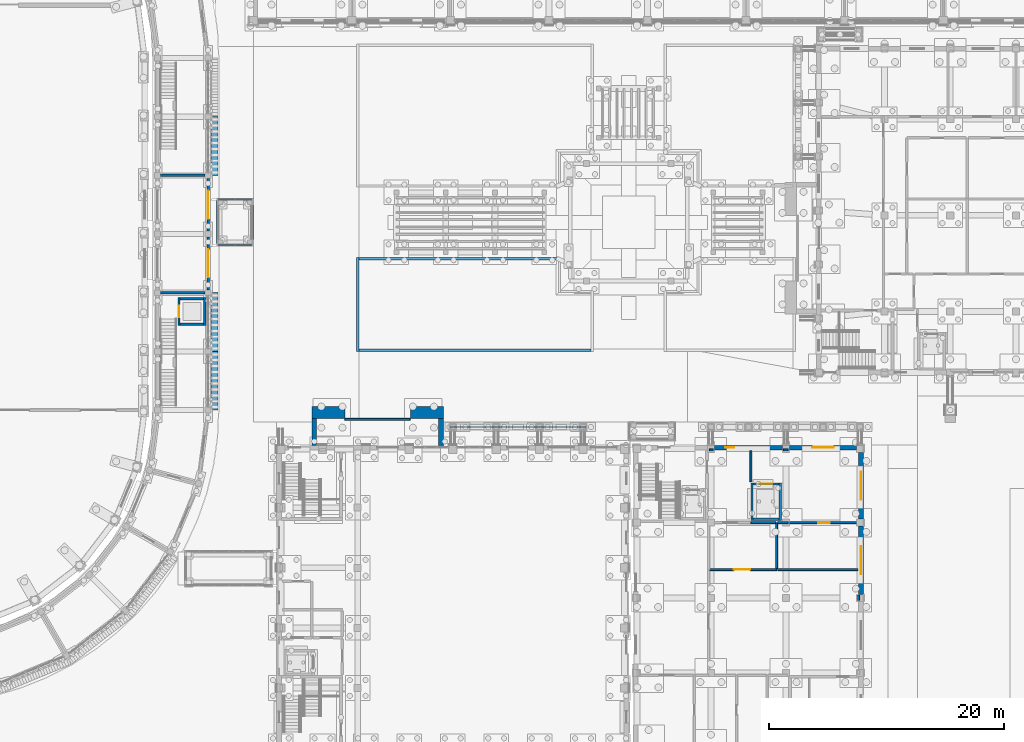
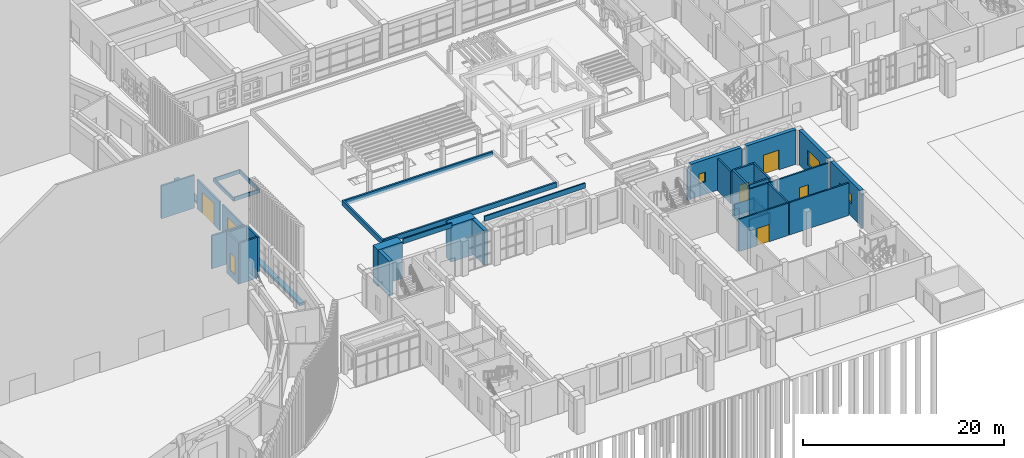
# One storey, part 66 of 112: 46 walls, 7 doors, 3 windows, 10 openings.
"""IFC4 building model written with IfcOpenShell, lengths in metres."""

from ifc_helpers import new_model, si_unit, direction, frame, frame_2d, origin, place, context, subcontext, project, spatial, rectangle, extrude, material, layer, layer_set, type_object, element, fill, save


model = new_model("IFC4")

# Units and contexts
model_context = context("Model", 3, precision=1e-05, world=origin(), true_north=direction((0.0, 1.0)))
body_context = subcontext(model_context, "Body", "Model", "MODEL_VIEW")
ifc_project = project(units=[si_unit("LENGTHUNIT", "METRE"), si_unit("AREAUNIT", "SQUARE_METRE"), si_unit("VOLUMEUNIT", "CUBIC_METRE"), si_unit("PLANEANGLEUNIT", "RADIAN"), si_unit("MASSUNIT", "GRAM", prefix="KILO")], contexts=[model_context])

# Site, building, storey
site_placement = place(None, origin())
site = spatial("IfcSite", under=ifc_project, at=site_placement, CompositionType="ELEMENT")
building_placement = place(site_placement, origin())
building = spatial("IfcBuilding", under=site, at=building_placement, Name="Wasatch Bagh Community Centre", CompositionType="ELEMENT")
storey_placement = place(building_placement, origin())
storey = spatial("IfcBuildingStorey", under=building, at=storey_placement, Name="L00", CompositionType="ELEMENT", Elevation=0.0)

# Walls
ifc_material_1 = material(Name="Concrete C35", Category="concrete")
ifc_layer_1 = layer(ifc_material_1, 0.14990234375)
ifc_layer_set_1 = layer_set([ifc_layer_1], Name="Concrete C35")
wall_type_1 = type_object("IfcWallType", Name="CL-W2", PredefinedType="PARAPET", material=ifc_layer_set_1)
wall_1_placement = place(storey_placement, frame((80.77490234375, 33.550048828125, 4.050048828125), z_axis=(0.0, 0.0, 1.0), x_axis=(1.0, 0.0, 0.0)))
element("IfcWall", 1, at=wall_1_placement, inside=storey, type_object=wall_type_1, Name="CL-W2 arcade parapet DH 1", PredefinedType="PARAPET", context=body_context, shape_type="SweptSolid", body=[
    extrude(rectangle(XDim=11.550048828125, YDim=0.14990234375, at=frame_2d((5.77490234375, 0.0))), origin(), (0.0, 0.0, 1.0), 0.599853515625),
])
wall_2_placement = place(storey_placement, frame((71.800048828125, 34.22509765625, 4.050048828125), z_axis=(0.0, 0.0, 1.0), x_axis=(1.0, 0.0, 0.0)))
element("IfcWall", 2, at=wall_2_placement, inside=storey, type_object=wall_type_1, Name="CL-W2 porch parapet", PredefinedType="PARAPET", context=body_context, shape_type="SweptSolid", body=[
    extrude(rectangle(XDim=5.599853515625, YDim=0.14990234375, at=frame_2d((2.7998046875, 0.0))), origin(), (0.0, 0.0, 1.0), 0.599853515625),
])
ifc_material_2 = material(Name="Concrete C40", Category="concrete")
ifc_layer_2 = layer(ifc_material_2, 0.39990234375)
ifc_layer_set_2 = layer_set([ifc_layer_2], Name="Concrete C40")
wall_type_2 = type_object("IfcWallType", Name="DHPQ-W5", PredefinedType="STANDARD", material=ifc_layer_set_2)
wall_3_placement = place(storey_placement, frame((69.199951171875, 34.300048828125, 0.0), z_axis=(0.0, 0.0, 1.0), x_axis=(0.0, -1.0, 0.0)))
element("IfcWall", 3, at=wall_3_placement, inside=storey, type_object=wall_type_2, Name="DHPQ-W5 pishtaq return wall W", PredefinedType="STANDARD", context=body_context, shape_type="SweptSolid", body=[
    extrude(rectangle(XDim=2.300048828125, YDim=0.39990234375, at=frame_2d((1.14990234375, 0.0))), origin(), (0.0, 0.0, 1.0), 4.199951171875),
])
wall_4_placement = place(storey_placement, frame((80.0, 34.300048828125, 0.0), z_axis=(0.0, 0.0, 1.0), x_axis=(0.0, -1.0, 0.0)))
element("IfcWall", 4, at=wall_4_placement, inside=storey, type_object=wall_type_2, Name="DHPQ-W5 pishtaq return wall E", PredefinedType="STANDARD", context=body_context, shape_type="SweptSolid", body=[
    extrude(rectangle(XDim=2.43994140625, YDim=0.39990234375, at=frame_2d((1.219970703125, 0.0))), origin(), (0.0, 0.0, 1.0), 4.199951171875),
])
ifc_layer_3 = layer(ifc_material_2, 1.0)
ifc_layer_set_3 = layer_set([ifc_layer_3], Name="Concrete C40")
wall_type_3 = type_object("IfcWallType", Name="DHPQ-W6", PredefinedType="STANDARD", material=ifc_layer_set_3)
for number, where, z_axis, x_axis, name in (
    (5, (69.0, 34.800048828125, -0.199951171875), (0.0, 0.0, 1.0), (1.0, 0.0, 0.0), "DHPQ-W6 iwan pier panel"),
    (6, (80.199951171875, 34.800048828125, -0.199951171875), (0.0, 0.0, 1.0), (-1.0, 0.0, 0.0), "DHPQ-W6 iwan pier panel"),
):
    element("IfcWall", number, at=place(storey_placement, frame(where, z_axis=z_axis, x_axis=x_axis)), inside=storey, type_object=wall_type_3, Name=name, PredefinedType="STANDARD", context=body_context, shape_type="SweptSolid", body=[
        extrude(rectangle(XDim=2.800048828125, YDim=1.0, at=frame_2d((1.39990234375, 0.0))), origin(), (0.0, 0.0, 1.0), 4.39990234375),
    ])
ifc_layer_4 = layer(ifc_material_2, 0.199951171875)
ifc_layer_set_4 = layer_set([ifc_layer_4], Name="Concrete C40")
wall_type_4 = type_object("IfcWallType", Name="Drum core wall RC WALL 200", PredefinedType="STANDARD", material=ifc_layer_set_4)
for number, where, z_axis, x_axis, name in (
    (7, (56.10009765625, 45.0, 0.0), (0.0, 0.0, 1.0), (1.0, 0.0, 0.0), "Partition 14"),
    (8, (56.10009765625, 55.0, 0.0), (0.0, 0.0, 1.0), (1.0, 0.0, 0.0), "Partition 16"),
):
    element("IfcWall", number, at=place(storey_placement, frame(where, z_axis=z_axis, x_axis=x_axis)), inside=storey, type_object=wall_type_4, Name=name, PredefinedType="STANDARD", context=body_context, shape_type="SweptSolid", body=[
        extrude(rectangle(XDim=3.7998046875, YDim=0.199951171875, at=frame_2d((1.89990234375, 0.0))), origin(), (0.0, 0.0, 1.0), 4.0),
    ])

# Wall, opening, door
ifc_layer_5 = layer(ifc_material_2, 0.199951171875)
ifc_layer_set_5 = layer_set([ifc_layer_5], Name="Concrete C40")
wall_type_5 = type_object("IfcWallType", Name="Drum entrance bay wall RC WALL 200", PredefinedType="STANDARD", material=ifc_layer_set_5)
wall_5_placement = place(storey_placement, frame((60.14990234375, 45.25048828125, 0.0), z_axis=(0.0, 0.0, 1.0), x_axis=(0.0, 1.0, 0.0)))
wall_5 = element("IfcWall", 9, at=wall_5_placement, inside=storey, type_object=wall_type_5, Name="Entrance bay wall 15", PredefinedType="STANDARD", context=body_context, shape_type="SweptSolid", body=[
    extrude(rectangle(XDim=4.4990234375, YDim=0.199951171875, at=frame_2d((2.24951171875, 0.0))), origin(), (0.0, 0.0, 1.0), 3.5),
])
opening_1_placement = place(wall_5_placement, frame((1.049560546875, 0.0, 0.0)))
opening_1 = element("IfcOpeningElement", 10, at=opening_1_placement, cuts=wall_5, Name="Opening 0F-06", PredefinedType="OPENING", context=body_context, shape_type="SweptSolid", body=[
    extrude(rectangle(XDim=2.39990234375, YDim=2.60009765625, at=frame_2d((1.199951171875, 1.300048828125))), frame((0.0, 0.10986328125, 0.0), z_axis=(0.0, -1.0, 0.0), x_axis=(1.0, 0.0, 0.0)), (0.0, 0.0, 1.0), 0.219970703125),
])
ifc_material_3 = material(Name="Aluminium framed door with low-iron insulated glass", Category="aluminium")
door_type_1 = type_object("IfcDoorType", Name="Drum entrance door pair 2400 x 2600", OperationType="DOUBLE_DOOR_DOUBLE_SWING", PredefinedType="DOOR", material=ifc_material_3)
door_1_placement = place(opening_1_placement, origin())
door_1 = element("IfcDoor", 11, at=door_1_placement, inside=storey, type_object=door_type_1, Name="Door 0F-06", OperationType="DOUBLE_DOOR_DOUBLE_SWING", OverallHeight=2.60009765625, OverallWidth=2.39990234375, PredefinedType="DOOR", context=body_context, shape_type="SweptSolid", body=[
    extrude(rectangle(XDim=2.39990234375, YDim=2.60009765625, at=frame_2d((1.199951171875, 1.300048828125))), frame((0.0, 0.02490234375, 0.0), z_axis=(0.0, -1.0, 0.0), x_axis=(1.0, 0.0, 0.0)), (0.0, 0.0, 1.0), 0.050048828125),
])
fill(opening_1, door_1)

wall_6_placement = place(storey_placement, frame((60.14990234375, 50.25048828125, 0.0), z_axis=(0.0, 0.0, 1.0), x_axis=(0.0, 1.0, 0.0)))
wall_6 = element("IfcWall", 12, at=wall_6_placement, inside=storey, type_object=wall_type_5, Name="Entrance bay wall 16", PredefinedType="STANDARD", context=body_context, shape_type="SweptSolid", body=[
    extrude(rectangle(XDim=4.4990234375, YDim=0.199951171875, at=frame_2d((2.24951171875, 0.0))), origin(), (0.0, 0.0, 1.0), 3.5),
])
opening_2_placement = place(wall_6_placement, frame((1.049560546875, 0.0, 0.0)))
opening_2 = element("IfcOpeningElement", 13, at=opening_2_placement, cuts=wall_6, Name="Opening 0F-07", PredefinedType="OPENING", context=body_context, shape_type="SweptSolid", body=[
    extrude(rectangle(XDim=2.39990234375, YDim=2.60009765625, at=frame_2d((1.199951171875, 1.300048828125))), frame((0.0, 0.10986328125, 0.0), z_axis=(0.0, -1.0, 0.0), x_axis=(1.0, 0.0, 0.0)), (0.0, 0.0, 1.0), 0.219970703125),
])
door_2_placement = place(opening_2_placement, origin())
door_2 = element("IfcDoor", 14, at=door_2_placement, inside=storey, type_object=door_type_1, Name="Door 0F-07", OperationType="DOUBLE_DOOR_DOUBLE_SWING", OverallHeight=2.60009765625, OverallWidth=2.39990234375, PredefinedType="DOOR", context=body_context, shape_type="SweptSolid", body=[
    extrude(rectangle(XDim=2.39990234375, YDim=2.60009765625, at=frame_2d((1.199951171875, 1.300048828125))), frame((0.0, 0.02490234375, 0.0), z_axis=(0.0, -1.0, 0.0), x_axis=(1.0, 0.0, 0.0)), (0.0, 0.0, 1.0), 0.050048828125),
])
fill(opening_2, door_2)

ifc_layer_6 = layer(ifc_material_2, 0.199951171875)
ifc_layer_set_6 = layer_set([ifc_layer_6], Name="Concrete C40")
wall_type_6 = type_object("IfcWallType", Name="Drum lift shaft wall RC WALL 200", PredefinedType="SHEAR", material=ifc_layer_set_6)
wall_7_placement = place(storey_placement, frame((57.675048828125, 42.199951171875, -0.75), z_axis=(0.0, 0.0, 1.0), x_axis=(0.0, 1.0, 0.0)))
wall_7 = element("IfcWall", 15, at=wall_7_placement, inside=storey, type_object=wall_type_6, Name="Lift shaft wall SE in", PredefinedType="SHEAR", context=body_context, shape_type="SweptSolid", body=[
    extrude(rectangle(XDim=2.400146484375, YDim=0.199951171875, at=frame_2d((1.2001953125, 0.0))), origin(), (0.0, 0.0, 1.0), 4.949951171875),
])
opening_3_placement = place(wall_7_placement, frame((0.699951171875, 0.0, 0.75)))
opening_3 = element("IfcOpeningElement", 16, at=opening_3_placement, cuts=wall_7, Name="Opening LD", PredefinedType="OPENING", context=body_context, shape_type="SweptSolid", body=[
    extrude(rectangle(XDim=1.0, YDim=2.10009765625, at=frame_2d((0.5, 1.050048828125))), frame((0.0, 0.10986328125, 0.0), z_axis=(0.0, -1.0, 0.0), x_axis=(1.0, 0.0, 0.0)), (0.0, 0.0, 1.0), 0.219970703125),
])
ifc_material_4 = material(Name="Stainless steel landing door", Category="steel")
door_type_2 = type_object("IfcDoorType", Name="Lift landing door 1000 x 2100", OperationType="SLIDING_TO_LEFT", PredefinedType="DOOR", material=ifc_material_4)
door_3_placement = place(opening_3_placement, origin())
door_3 = element("IfcDoor", 17, at=door_3_placement, inside=storey, type_object=door_type_2, Name="Lift landing door SE L00", OperationType="SLIDING_TO_LEFT", OverallHeight=2.10009765625, OverallWidth=1.0, PredefinedType="DOOR", context=body_context, shape_type="SweptSolid", body=[
    extrude(rectangle(XDim=1.0, YDim=2.10009765625, at=frame_2d((0.5, 1.050048828125))), frame((0.0, 0.02490234375, 0.0), z_axis=(0.0, -1.0, 0.0), x_axis=(1.0, 0.0, 0.0)), (0.0, 0.0, 1.0), 0.050048828125),
])
fill(opening_3, door_3)

# Walls
wall_8_placement = place(storey_placement, frame((59.875, 42.199951171875, -0.75), z_axis=(0.0, 0.0, 1.0), x_axis=(0.0, 1.0, 0.0)))
element("IfcWall", 18, at=wall_8_placement, inside=storey, type_object=wall_type_6, Name="Lift shaft wall SE out", PredefinedType="SHEAR", context=body_context, shape_type="SweptSolid", body=[
    extrude(rectangle(XDim=2.400146484375, YDim=0.199951171875, at=frame_2d((1.2001953125, 0.0))), origin(), (0.0, 0.0, 1.0), 4.949951171875),
])
for number, where, z_axis, x_axis, name in (
    (19, (57.77490234375, 42.300048828125, -0.75), (0.0, 0.0, 1.0), (1.0, 0.0, 0.0), "Lift shaft wall SE a0"),
    (20, (57.77490234375, 44.5, -0.75), (0.0, 0.0, 1.0), (1.0, 0.0, 0.0), "Lift shaft wall SE a1"),
):
    element("IfcWall", number, at=place(storey_placement, frame(where, z_axis=z_axis, x_axis=x_axis)), inside=storey, type_object=wall_type_6, Name=name, PredefinedType="SHEAR", context=body_context, shape_type="SweptSolid", body=[
        extrude(rectangle(XDim=2.0, YDim=0.199951171875, at=frame_2d((1.0, 0.0))), origin(), (0.0, 0.0, 1.0), 4.949951171875),
    ])
ifc_material_5 = material(Name="Concrete C35 faced in red sandstone", Category="masonry")
ifc_layer_7 = layer(ifc_material_5, 0.669921875)
ifc_layer_set_7 = layer_set([ifc_layer_7], Name="Concrete C35 faced in red sandstone")
wall_type_7 = type_object("IfcWallType", Name="Drum sandstone plinth", PredefinedType="STANDARD", material=ifc_layer_set_7)
for number, where, z_axis, x_axis, name in (
    (21, (60.719970703125, 35.0, 0.0), (0.0, 0.0, 1.0), (0.0, 1.0, 0.0), "Sandstone plinth 13"),
    (22, (60.719970703125, 40.0, 0.0), (0.0, 0.0, 1.0), (0.0, 1.0, 0.0), "Sandstone plinth 14"),
    (23, (60.719970703125, 55.0, 0.0), (0.0, 0.0, 1.0), (0.0, 1.0, 0.0), "Sandstone plinth 17"),
):
    element("IfcWall", number, at=place(storey_placement, frame(where, z_axis=z_axis, x_axis=x_axis)), inside=storey, type_object=wall_type_7, Name=name, PredefinedType="STANDARD", context=body_context, shape_type="SweptSolid", body=[
        extrude(rectangle(XDim=5.0, YDim=0.56005859375, at=frame_2d((2.5, 0.0))), origin(), (0.0, 0.0, 1.0), 0.300048828125),
    ])
ifc_layer_8 = layer(ifc_material_2, 0.199951171875)
ifc_layer_set_8 = layer_set([ifc_layer_8], Name="Concrete C40")
wall_type_8 = type_object("IfcWallType", Name="KW RC WALL 200 shear", PredefinedType="SHEAR", material=ifc_layer_set_8)
for number, where, z_axis, x_axis, name in (
    (24, (106.5, 25.60009765625, 0.0), (0.0, 0.0, 1.0), (0.0, 1.0, 0.0), "KW.core.LF3.L00.W"),
    (25, (108.89990234375, 25.60009765625, 0.0), (0.0, 0.0, 1.0), (0.0, 1.0, 0.0), "KW.core.LF3.L00.E"),
):
    element("IfcWall", number, at=place(storey_placement, frame(where, z_axis=z_axis, x_axis=x_axis)), inside=storey, type_object=wall_type_8, Name=name, PredefinedType="SHEAR", context=body_context, shape_type="SweptSolid", body=[
        extrude(rectangle(XDim=3.199951171875, YDim=0.199951171875, at=frame_2d((1.60009765625, 0.0))), origin(), (0.0, 0.0, 1.0), 4.199951171875),
    ])
wall_9_placement = place(storey_placement, frame((106.60009765625, 25.699951171875, 0.0), z_axis=(0.0, 0.0, 1.0), x_axis=(1.0, 0.0, 0.0)))
element("IfcWall", 26, at=wall_9_placement, inside=storey, type_object=wall_type_8, Name="KW.core.LF3.L00.S", PredefinedType="SHEAR", context=body_context, shape_type="SweptSolid", body=[
    extrude(rectangle(XDim=2.199951171875, YDim=0.199951171875, at=frame_2d((1.10009765625, 0.0))), origin(), (0.0, 0.0, 1.0), 4.199951171875),
])

# Wall, opening, door
wall_10_placement = place(storey_placement, frame((106.60009765625, 28.699951171875, 0.0), z_axis=(0.0, 0.0, 1.0), x_axis=(1.0, 0.0, 0.0)))
wall_10 = element("IfcWall", 27, at=wall_10_placement, inside=storey, type_object=wall_type_8, Name="KW.core.LF3.L00.N", PredefinedType="SHEAR", context=body_context, shape_type="SweptSolid", body=[
    extrude(rectangle(XDim=2.199951171875, YDim=0.199951171875, at=frame_2d((1.10009765625, 0.0))), origin(), (0.0, 0.0, 1.0), 4.199951171875),
])
opening_4_placement = place(wall_10_placement, frame((0.550048828125, 0.0, 0.0)))
opening_4 = element("IfcOpeningElement", 28, at=opening_4_placement, cuts=wall_10, Name="Opening 0K-09", PredefinedType="OPENING", context=body_context, shape_type="SweptSolid", body=[
    extrude(rectangle(XDim=1.10009765625, YDim=2.10009765625, at=frame_2d((0.550048828125, 1.050048828125))), frame((0.0, 0.10986328125, 0.0), z_axis=(0.0, -1.0, 0.0), x_axis=(1.0, 0.0, 0.0)), (0.0, 0.0, 1.0), 0.219970703125),
])
ifc_material_6 = material(Name="Stainless steel", Category="steel")
door_type_3 = type_object("IfcDoorType", Name="KW door 1100x2100 landing", OperationType="SLIDING_TO_LEFT", PredefinedType="DOOR", material=ifc_material_6)
door_4_placement = place(opening_4_placement, origin())
door_4 = element("IfcDoor", 29, at=door_4_placement, inside=storey, type_object=door_type_3, Name="KW.door.L00.0K-09", OperationType="SLIDING_TO_LEFT", OverallHeight=2.10009765625, OverallWidth=1.10009765625, PredefinedType="DOOR", context=body_context, shape_type="SweptSolid", body=[
    extrude(rectangle(XDim=1.10009765625, YDim=2.10009765625, at=frame_2d((0.550048828125, 1.050048828125))), frame((0.0, 0.02490234375, 0.0), z_axis=(0.0, -1.0, 0.0), x_axis=(1.0, 0.0, 0.0)), (0.0, 0.0, 1.0), 0.050048828125),
])
fill(opening_4, door_4)

# Walls
for number, where, z_axis, x_axis, name in (
    (30, (106.5, 25.60009765625, -1.39990234375), (0.0, 0.0, 1.0), (0.0, 1.0, 0.0), "KW.core.LF3.PIT.W"),
    (31, (108.89990234375, 25.60009765625, -1.39990234375), (0.0, 0.0, 1.0), (0.0, 1.0, 0.0), "KW.core.LF3.PIT.E"),
):
    element("IfcWall", number, at=place(storey_placement, frame(where, z_axis=z_axis, x_axis=x_axis)), inside=storey, type_object=wall_type_8, Name=name, PredefinedType="SHEAR", context=body_context, shape_type="SweptSolid", body=[
        extrude(rectangle(XDim=3.199951171875, YDim=0.199951171875, at=frame_2d((1.60009765625, 0.0))), origin(), (0.0, 0.0, 1.0), 1.39990234375),
    ])
for number, where, z_axis, x_axis, name in (
    (32, (106.60009765625, 25.699951171875, -1.39990234375), (0.0, 0.0, 1.0), (1.0, 0.0, 0.0), "KW.core.LF3.PIT.S"),
    (33, (106.60009765625, 28.699951171875, -1.39990234375), (0.0, 0.0, 1.0), (1.0, 0.0, 0.0), "KW.core.LF3.PIT.N"),
):
    element("IfcWall", number, at=place(storey_placement, frame(where, z_axis=z_axis, x_axis=x_axis)), inside=storey, type_object=wall_type_8, Name=name, PredefinedType="SHEAR", context=body_context, shape_type="SweptSolid", body=[
        extrude(rectangle(XDim=2.199951171875, YDim=0.199951171875, at=frame_2d((1.10009765625, 0.0))), origin(), (0.0, 0.0, 1.0), 1.39990234375),
    ])

# Wall, opening, window
ifc_layer_9 = layer(ifc_material_2, 0.39990234375)
ifc_layer_set_9 = layer_set([ifc_layer_9], Name="Concrete C40")
wall_type_9 = type_object("IfcWallType", Name="KW RC WALL 400 solidwall", PredefinedType="SOLIDWALL", material=ifc_layer_set_9)
wall_11_placement = place(storey_placement, frame((103.300048828125, 31.800048828125, 0.0), z_axis=(0.0, 0.0, 1.0), x_axis=(1.0, 0.0, 0.0)))
wall_11 = element("IfcWall", 34, at=wall_11_placement, inside=storey, type_object=wall_type_9, Name="KW.wall.L00.05", PredefinedType="SOLIDWALL", context=body_context, shape_type="SweptSolid", body=[
    extrude(rectangle(XDim=5.800048828125, YDim=0.39990234375, at=frame_2d((2.89990234375, 0.0))), origin(), (0.0, 0.0, 1.0), 4.199951171875),
])
opening_5_placement = place(wall_11_placement, frame((0.925048828125, 0.0, 1.5)))
opening_5 = element("IfcOpeningElement", 35, at=opening_5_placement, cuts=wall_11, Name="Opening 0K-W04", PredefinedType="OPENING", context=body_context, shape_type="SweptSolid", body=[
    extrude(rectangle(XDim=0.75, YDim=1.199951171875, at=frame_2d((0.375, 0.60009765625))), frame((0.0, 0.2099609375, 0.0), z_axis=(0.0, -1.0, 0.0), x_axis=(1.0, 0.0, 0.0)), (0.0, 0.0, 1.0), 0.419921875),
])
ifc_material_7 = material(Name="Aluminium frame with double glazing", Category="aluminium")
window_type_1 = type_object("IfcWindowType", Name="KW window 750x1200", PartitioningType="SINGLE_PANEL", PredefinedType="WINDOW", material=ifc_material_7)
window_1_placement = place(opening_5_placement, origin())
window_1 = element("IfcWindow", 36, at=window_1_placement, inside=storey, type_object=window_type_1, Name="KW.window.L00.0K-W04", OverallHeight=1.199951171875, OverallWidth=0.75, PartitioningType="SINGLE_PANEL", PredefinedType="WINDOW", context=body_context, shape_type="SweptSolid", body=[
    extrude(rectangle(XDim=0.75, YDim=1.199951171875, at=frame_2d((0.375, 0.60009765625))), frame((0.0, 0.030029296875, 0.0), z_axis=(0.0, -1.0, 0.0), x_axis=(1.0, 0.0, 0.0)), (0.0, 0.0, 1.0), 0.06005859375),
])
fill(opening_5, window_1)

# Wall, opening, door
wall_12_placement = place(storey_placement, frame((109.699951171875, 31.800048828125, 0.0), z_axis=(0.0, 0.0, 1.0), x_axis=(1.0, 0.0, 0.0)))
wall_12 = element("IfcWall", 37, at=wall_12_placement, inside=storey, type_object=wall_type_9, Name="KW.wall.L00.06", PredefinedType="SOLIDWALL", context=body_context, shape_type="SweptSolid", body=[
    extrude(rectangle(XDim=5.699951171875, YDim=0.39990234375, at=frame_2d((2.85009765625, 0.0))), origin(), (0.0, 0.0, 1.0), 4.199951171875),
])
opening_6_placement = place(wall_12_placement, frame((1.949951171875, 0.0, 0.0)))
opening_6 = element("IfcOpeningElement", 38, at=opening_6_placement, cuts=wall_12, Name="Opening 0K-04", PredefinedType="OPENING", context=body_context, shape_type="SweptSolid", body=[
    extrude(rectangle(XDim=1.800048828125, YDim=2.39990234375, at=frame_2d((0.89990234375, 1.199951171875))), frame((0.0, 0.2099609375, 0.0), z_axis=(0.0, -1.0, 0.0), x_axis=(1.0, 0.0, 0.0)), (0.0, 0.0, 1.0), 0.419921875),
])
ifc_material_8 = material(Name="Aluminium frame and glass", Category="aluminium")
door_type_4 = type_object("IfcDoorType", Name="KW door 1800x2400 double", OperationType="DOUBLE_DOOR_SINGLE_SWING", PredefinedType="DOOR", material=ifc_material_8)
door_5_placement = place(opening_6_placement, origin())
door_5 = element("IfcDoor", 39, at=door_5_placement, inside=storey, type_object=door_type_4, Name="KW.door.L00.0K-04", OperationType="DOUBLE_DOOR_SINGLE_SWING", OverallHeight=2.39990234375, OverallWidth=1.800048828125, PredefinedType="DOOR", context=body_context, shape_type="SweptSolid", body=[
    extrude(rectangle(XDim=1.800048828125, YDim=2.39990234375, at=frame_2d((0.89990234375, 1.199951171875))), frame((0.0, 0.02490234375, 0.0), z_axis=(0.0, -1.0, 0.0), x_axis=(1.0, 0.0, 0.0)), (0.0, 0.0, 1.0), 0.050048828125),
])
fill(opening_6, door_5)

# Wall, opening, window
wall_13_placement = place(storey_placement, frame((115.800048828125, 25.10009765625, 0.0), z_axis=(0.0, 0.0, 1.0), x_axis=(0.0, -1.0, 0.0)))
wall_13 = element("IfcWall", 40, at=wall_13_placement, inside=storey, type_object=wall_type_9, Name="KW.wall.L00.13", PredefinedType="SOLIDWALL", context=body_context, shape_type="SweptSolid", body=[
    extrude(rectangle(XDim=5.800048828125, YDim=0.39990234375, at=frame_2d((2.89990234375, 0.0))), origin(), (0.0, 0.0, 1.0), 4.199951171875),
])
opening_7_placement = place(wall_13_placement, frame((1.699951171875, 0.0, 1.5)))
opening_7 = element("IfcOpeningElement", 41, at=opening_7_placement, cuts=wall_13, Name="Opening 0K-W02", PredefinedType="OPENING", context=body_context, shape_type="SweptSolid", body=[
    extrude(rectangle(XDim=2.39990234375, YDim=1.199951171875, at=frame_2d((1.199951171875, 0.60009765625))), frame((0.0, 0.2099609375, 0.0), z_axis=(0.0, -1.0, 0.0), x_axis=(1.0, 0.0, 0.0)), (0.0, 0.0, 1.0), 0.419921875),
])
window_type_2 = type_object("IfcWindowType", Name="KW window 2400x1200", PartitioningType="SINGLE_PANEL", PredefinedType="WINDOW", material=ifc_material_7)
window_2_placement = place(opening_7_placement, origin())
window_2 = element("IfcWindow", 42, at=window_2_placement, inside=storey, type_object=window_type_2, Name="KW.window.L00.0K-W02", OverallHeight=1.199951171875, OverallWidth=2.39990234375, PartitioningType="SINGLE_PANEL", PredefinedType="WINDOW", context=body_context, shape_type="SweptSolid", body=[
    extrude(rectangle(XDim=2.39990234375, YDim=1.199951171875, at=frame_2d((1.199951171875, 0.60009765625))), frame((0.0, 0.030029296875, 0.0), z_axis=(0.0, -1.0, 0.0), x_axis=(1.0, 0.0, 0.0)), (0.0, 0.0, 1.0), 0.06005859375),
])
fill(opening_7, window_2)

wall_14_placement = place(storey_placement, frame((115.800048828125, 31.39990234375, 0.0), z_axis=(0.0, 0.0, 1.0), x_axis=(0.0, -1.0, 0.0)))
wall_14 = element("IfcWall", 43, at=wall_14_placement, inside=storey, type_object=wall_type_9, Name="KW.wall.L00.14", PredefinedType="SOLIDWALL", context=body_context, shape_type="SweptSolid", body=[
    extrude(rectangle(XDim=5.699951171875, YDim=0.39990234375, at=frame_2d((2.85009765625, 0.0))), origin(), (0.0, 0.0, 1.0), 4.199951171875),
])
opening_8_placement = place(wall_14_placement, frame((1.64990234375, 0.0, 1.0)))
opening_8 = element("IfcOpeningElement", 44, at=opening_8_placement, cuts=wall_14, Name="Opening 0K-W03", PredefinedType="OPENING", context=body_context, shape_type="SweptSolid", body=[
    extrude(rectangle(XDim=2.39990234375, YDim=1.800048828125, at=frame_2d((1.199951171875, 0.89990234375))), frame((0.0, 0.2099609375, 0.0), z_axis=(0.0, -1.0, 0.0), x_axis=(1.0, 0.0, 0.0)), (0.0, 0.0, 1.0), 0.419921875),
])
window_type_3 = type_object("IfcWindowType", Name="KW window 2400x1800", PartitioningType="SINGLE_PANEL", PredefinedType="WINDOW", material=ifc_material_7)
window_3_placement = place(opening_8_placement, origin())
window_3 = element("IfcWindow", 45, at=window_3_placement, inside=storey, type_object=window_type_3, Name="KW.window.L00.0K-W03", OverallHeight=1.800048828125, OverallWidth=2.39990234375, PartitioningType="SINGLE_PANEL", PredefinedType="WINDOW", context=body_context, shape_type="SweptSolid", body=[
    extrude(rectangle(XDim=2.39990234375, YDim=1.800048828125, at=frame_2d((1.199951171875, 0.89990234375))), frame((0.0, 0.030029296875, 0.0), z_axis=(0.0, -1.0, 0.0), x_axis=(1.0, 0.0, 0.0)), (0.0, 0.0, 1.0), 0.06005859375),
])
fill(opening_8, window_3)

# Walls
ifc_material_9 = material(Name="Hollow block masonry, medium weight (ASTM Grade N)", Category="masonry")
ifc_layer_10 = layer(ifc_material_9, 0.169921875)
ifc_layer_set_10 = layer_set([ifc_layer_10], Name="Hollow block masonry, medium weight (ASTM Grade N)")
wall_type_10 = type_object("IfcWallType", Name="KW partition 170", PredefinedType="PARTITIONING", material=ifc_layer_set_10)
wall_15_placement = place(storey_placement, frame((103.219970703125, 31.60009765625, 0.0), z_axis=(0.0, 0.0, 1.0), x_axis=(-1.0, 0.0, 0.0)))
element("IfcWall", 46, at=wall_15_placement, inside=storey, type_object=wall_type_10, Name="KW.part.L00.009", PredefinedType="PARTITIONING", context=body_context, shape_type="SweptSolid", body=[
    extrude(rectangle(XDim=0.340087890625, YDim=0.169921875, at=frame_2d((0.169921875, 0.0))), origin(), (0.0, 0.0, 1.0), 3.919921875),
])
wall_16_placement = place(storey_placement, frame((106.39990234375, 28.8798828125, 0.0), z_axis=(0.0, 0.0, 1.0), x_axis=(0.0, 1.0, 0.0)))
element("IfcWall", 47, at=wall_16_placement, inside=storey, type_object=wall_type_10, Name="KW.part.L00.013", PredefinedType="PARTITIONING", context=body_context, shape_type="SweptSolid", body=[
    extrude(rectangle(XDim=2.64013671875, YDim=0.169921875, at=frame_2d((1.320068359375, 0.0))), origin(), (0.0, 0.0, 1.0), 3.919921875),
])
wall_17_placement = place(storey_placement, frame((108.514892578125, 25.39990234375, 0.0), z_axis=(0.0, 0.0, 1.0), x_axis=(-1.0, 0.0, 0.0)))
element("IfcWall", 48, at=wall_17_placement, inside=storey, type_object=wall_type_10, Name="KW.part.L00.016", PredefinedType="PARTITIONING", context=body_context, shape_type="SweptSolid", body=[
    extrude(rectangle(XDim=2.114990234375, YDim=0.169921875, at=frame_2d((1.0576171875, 0.0))), origin(), (0.0, 0.0, 1.0), 3.919921875),
])

# Wall, opening, door
wall_18_placement = place(storey_placement, frame((108.60009765625, 21.39990234375, 0.0), z_axis=(0.0, 0.0, 1.0), x_axis=(-1.0, 0.0, 0.0)))
wall_18 = element("IfcWall", 49, at=wall_18_placement, inside=storey, type_object=wall_type_10, Name="KW.part.L00.017", PredefinedType="PARTITIONING", context=body_context, shape_type="SweptSolid", body=[
    extrude(rectangle(XDim=5.715087890625, YDim=0.169921875, at=frame_2d((2.857421875, 0.0))), origin(), (0.0, 0.0, 1.0), 3.919921875),
])
opening_9_placement = place(wall_18_placement, frame((2.25, 0.0, 0.0)))
opening_9 = element("IfcOpeningElement", 50, at=opening_9_placement, cuts=wall_18, Name="Opening 0K-15", PredefinedType="OPENING", context=body_context, shape_type="SweptSolid", body=[
    extrude(rectangle(XDim=1.39990234375, YDim=2.10009765625, at=frame_2d((0.699951171875, 1.050048828125))), frame((0.0, 0.094970703125, 0.0), z_axis=(0.0, -1.0, 0.0), x_axis=(1.0, 0.0, 0.0)), (0.0, 0.0, 1.0), 0.18994140625),
])
door_type_5 = type_object("IfcDoorType", Name="KW door 1400x2100 double", OperationType="DOUBLE_DOOR_SINGLE_SWING", PredefinedType="DOOR", material=ifc_material_8)
door_6_placement = place(opening_9_placement, origin())
door_6 = element("IfcDoor", 51, at=door_6_placement, inside=storey, type_object=door_type_5, Name="KW.door.L00.0K-15", OperationType="DOUBLE_DOOR_SINGLE_SWING", OverallHeight=2.10009765625, OverallWidth=1.39990234375, PredefinedType="DOOR", context=body_context, shape_type="SweptSolid", body=[
    extrude(rectangle(XDim=1.39990234375, YDim=2.10009765625, at=frame_2d((0.699951171875, 1.050048828125))), frame((0.0, 0.02490234375, 0.0), z_axis=(0.0, -1.0, 0.0), x_axis=(1.0, 0.0, 0.0)), (0.0, 0.0, 1.0), 0.050048828125),
])
fill(opening_9, door_6)

# Walls
wall_19_placement = place(storey_placement, frame((108.60009765625, 21.485107421875, 0.0), z_axis=(0.0, 0.0, 1.0), x_axis=(0.0, 1.0, 0.0)))
element("IfcWall", 52, at=wall_19_placement, inside=storey, type_object=wall_type_10, Name="KW.part.L00.018", PredefinedType="PARTITIONING", context=body_context, shape_type="SweptSolid", body=[
    extrude(rectangle(XDim=3.914794921875, YDim=0.169921875, at=frame_2d((1.95751953125, 0.0))), origin(), (0.0, 0.0, 1.0), 3.919921875),
])
wall_20_placement = place(storey_placement, frame((109.580078125, 25.39990234375, 0.0), z_axis=(0.0, 0.0, 1.0), x_axis=(-1.0, 0.0, 0.0)))
element("IfcWall", 53, at=wall_20_placement, inside=storey, type_object=wall_type_10, Name="KW.part.L00.021", PredefinedType="PARTITIONING", context=body_context, shape_type="SweptSolid", body=[
    extrude(rectangle(XDim=0.89501953125, YDim=0.169921875, at=frame_2d((0.447509765625, 0.0))), origin(), (0.0, 0.0, 1.0), 3.919921875),
])
wall_21_placement = place(storey_placement, frame((109.580078125, 31.60009765625, 0.0), z_axis=(0.0, 0.0, 1.0), x_axis=(-1.0, 0.0, 0.0)))
element("IfcWall", 54, at=wall_21_placement, inside=storey, type_object=wall_type_10, Name="KW.part.L00.022", PredefinedType="PARTITIONING", context=body_context, shape_type="SweptSolid", body=[
    extrude(rectangle(XDim=0.400146484375, YDim=0.169921875, at=frame_2d((0.2001953125, 0.0))), origin(), (0.0, 0.0, 1.0), 3.919921875),
])
wall_22_placement = place(storey_placement, frame((115.52001953125, 21.39990234375, 0.0), z_axis=(0.0, 0.0, 1.0), x_axis=(-1.0, 0.0, 0.0)))
element("IfcWall", 55, at=wall_22_placement, inside=storey, type_object=wall_type_10, Name="KW.part.L00.023", PredefinedType="PARTITIONING", context=body_context, shape_type="SweptSolid", body=[
    extrude(rectangle(XDim=6.8349609375, YDim=0.169921875, at=frame_2d((3.41748046875, 0.0))), origin(), (0.0, 0.0, 1.0), 3.919921875),
])
wall_23_placement = place(storey_placement, frame((115.60009765625, 18.780029296875, 0.0), z_axis=(0.0, 0.0, 1.0), x_axis=(0.0, 1.0, 0.0)))
element("IfcWall", 56, at=wall_23_placement, inside=storey, type_object=wall_type_10, Name="KW.part.L00.025", PredefinedType="PARTITIONING", context=body_context, shape_type="SweptSolid", body=[
    extrude(rectangle(XDim=0.43994140625, YDim=0.169921875, at=frame_2d((0.219970703125, 0.0))), origin(), (0.0, 0.0, 1.0), 3.919921875),
])

# Wall, opening, door
wall_24_placement = place(storey_placement, frame((115.60009765625, 25.39990234375, 0.0), z_axis=(0.0, 0.0, 1.0), x_axis=(-1.0, 0.0, 0.0)))
wall_24 = element("IfcWall", 57, at=wall_24_placement, inside=storey, type_object=wall_type_10, Name="KW.part.L00.026", PredefinedType="PARTITIONING", context=body_context, shape_type="SweptSolid", body=[
    extrude(rectangle(XDim=5.97998046875, YDim=0.169921875, at=frame_2d((2.989990234375, 0.0))), origin(), (0.0, 0.0, 1.0), 3.919921875),
])
opening_10_placement = place(wall_24_placement, frame((2.449951171875, 0.0, 0.0)))
opening_10 = element("IfcOpeningElement", 58, at=opening_10_placement, cuts=wall_24, Name="Opening 0K-16", PredefinedType="OPENING", context=body_context, shape_type="SweptSolid", body=[
    extrude(rectangle(XDim=1.0, YDim=2.10009765625, at=frame_2d((0.5, 1.050048828125))), frame((0.0, 0.094970703125, 0.0), z_axis=(0.0, -1.0, 0.0), x_axis=(1.0, 0.0, 0.0)), (0.0, 0.0, 1.0), 0.18994140625),
])
ifc_material_10 = material(Name="Painted hardwood timber", Category="wood")
door_type_6 = type_object("IfcDoorType", Name="KW door 1000x2100 single", OperationType="SINGLE_SWING_LEFT", PredefinedType="DOOR", material=ifc_material_10)
door_7_placement = place(opening_10_placement, origin())
door_7 = element("IfcDoor", 59, at=door_7_placement, inside=storey, type_object=door_type_6, Name="KW.door.L00.0K-16", OperationType="SINGLE_SWING_LEFT", OverallHeight=2.10009765625, OverallWidth=1.0, PredefinedType="DOOR", context=body_context, shape_type="SweptSolid", body=[
    extrude(rectangle(XDim=1.0, YDim=2.10009765625, at=frame_2d((0.5, 1.050048828125))), frame((0.0, 0.02490234375, 0.0), z_axis=(0.0, -1.0, 0.0), x_axis=(1.0, 0.0, 0.0)), (0.0, 0.0, 1.0), 0.050048828125),
])
fill(opening_10, door_7)

# Walls
ifc_layer_11 = layer(ifc_material_1, 0.1298828125)
ifc_layer_set_11 = layer_set([ifc_layer_11], Name="Concrete C35")
wall_type_11 = type_object("IfcWallType", Name="PA-W2", PredefinedType="PARAPET", material=ifc_layer_set_11)
for number, where, z_axis, x_axis, name in (
    (60, (60.965087890625, 49.0, 4.0), (0.0, 0.0, 1.0), (0.0, 1.0, 0.0), "PA-W2 roof parapet PA1.1"),
    (61, (63.93505859375, 49.0, 4.0), (0.0, 0.0, 1.0), (0.0, 1.0, 0.0), "PA-W2 roof parapet PA1.2"),
):
    element("IfcWall", number, at=place(storey_placement, frame(where, z_axis=z_axis, x_axis=x_axis)), inside=storey, type_object=wall_type_11, Name=name, PredefinedType="PARAPET", context=body_context, shape_type="SweptSolid", body=[
        extrude(rectangle(XDim=4.0, YDim=0.1298828125, at=frame_2d((2.0, 0.0))), origin(), (0.0, 0.0, 1.0), 0.449951171875),
    ])
for number, where, z_axis, x_axis, name in (
    (62, (61.030029296875, 49.06494140625, 4.0), (0.0, 0.0, 1.0), (1.0, 0.0, 0.0), "PA-W2 roof parapet PA1.3"),
    (63, (61.030029296875, 52.93505859375, 4.0), (0.0, 0.0, 1.0), (1.0, 0.0, 0.0), "PA-W2 roof parapet PA1.4"),
):
    element("IfcWall", number, at=place(storey_placement, frame(where, z_axis=z_axis, x_axis=x_axis)), inside=storey, type_object=wall_type_11, Name=name, PredefinedType="PARAPET", context=body_context, shape_type="SweptSolid", body=[
        extrude(rectangle(XDim=2.840087890625, YDim=0.1298828125, at=frame_2d((1.419921875, 0.0))), origin(), (0.0, 0.0, 1.0), 0.449951171875),
    ])
ifc_material_11 = material(Name="Concrete C30", Category="concrete")
ifc_layer_12 = layer(ifc_material_11, 0.199951171875)
ifc_layer_set_12 = layer_set([ifc_layer_12], Name="Concrete C30")
wall_type_12 = type_object("IfcWallType", Name="SITE-K1", PredefinedType="SOLIDWALL", material=ifc_layer_set_12)
wall_25_placement = place(storey_placement, frame((73.0, 47.89990234375, 0.0), z_axis=(0.0, 0.0, 1.0), x_axis=(1.0, 0.0, 0.0)))
element("IfcWall", 64, at=wall_25_placement, inside=storey, type_object=wall_type_12, Name="Raised bed kerb - Garden quadrant SW", PredefinedType="SOLIDWALL", context=body_context, shape_type="SweptSolid", body=[
    extrude(rectangle(XDim=17.0, YDim=0.199951171875, at=frame_2d((8.5, 0.0))), origin(), (0.0, 0.0, 1.0), 0.60009765625),
])
wall_26_placement = place(storey_placement, frame((73.0, 40.10009765625, 0.0), z_axis=(0.0, 0.0, 1.0), x_axis=(1.0, 0.0, 0.0)))
element("IfcWall", 65, at=wall_26_placement, inside=storey, type_object=wall_type_12, Name="Raised bed kerb - Garden quadrant SW", PredefinedType="SOLIDWALL", context=body_context, shape_type="SweptSolid", body=[
    extrude(rectangle(XDim=19.800048828125, YDim=0.199951171875, at=frame_2d((9.89990234375, 0.0))), origin(), (0.0, 0.0, 1.0), 0.60009765625),
])
wall_27_placement = place(storey_placement, frame((72.89990234375, 40.0, 0.0), z_axis=(0.0, 0.0, 1.0), x_axis=(0.0, 1.0, 0.0)))
element("IfcWall", 66, at=wall_27_placement, inside=storey, type_object=wall_type_12, Name="Raised bed kerb - Garden quadrant SW", PredefinedType="SOLIDWALL", context=body_context, shape_type="SweptSolid", body=[
    extrude(rectangle(XDim=8.0, YDim=0.199951171875, at=frame_2d((4.0, 0.0))), origin(), (0.0, 0.0, 1.0), 0.60009765625),
])

save(model, "model.ifc")
